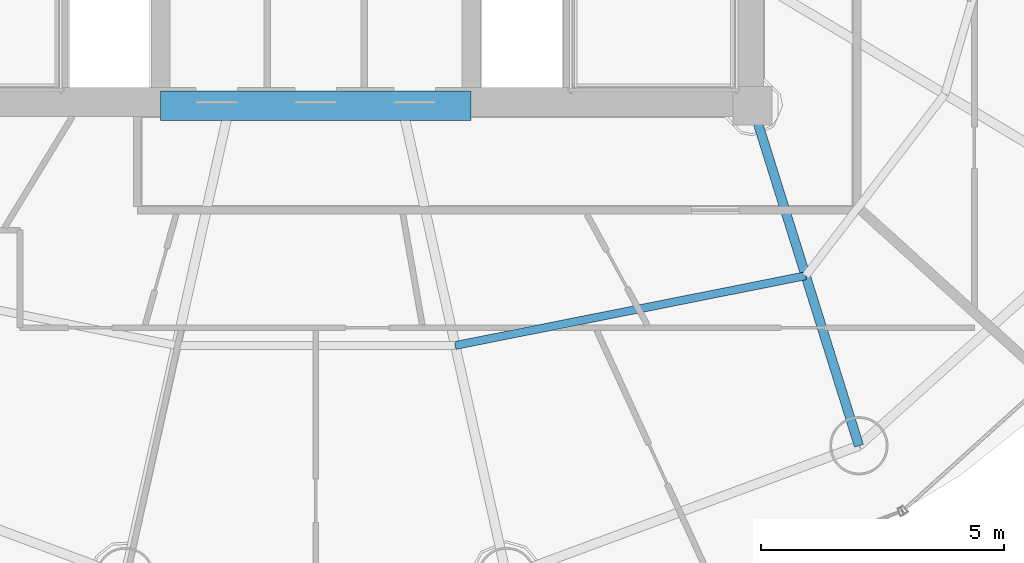
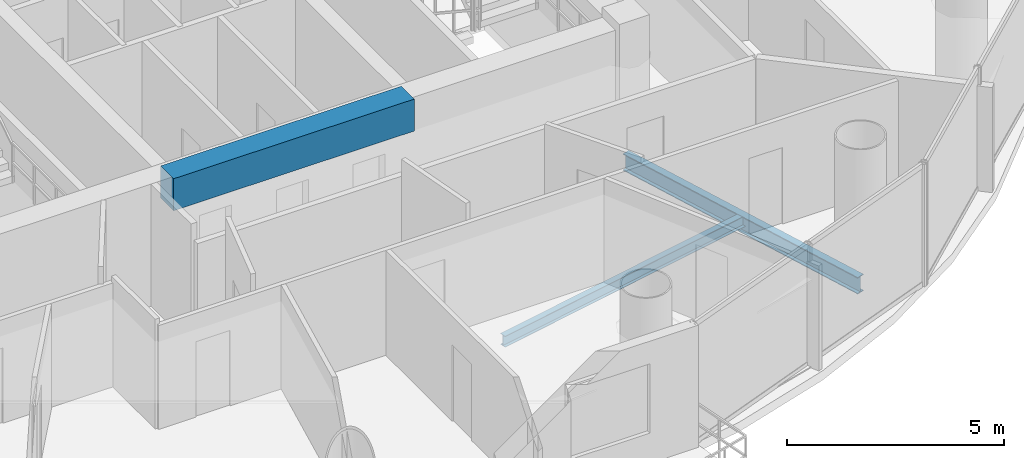
# One storey, part 6 of 26: 3 beams.
"""IFC4 building model written with IfcOpenShell, lengths in metres."""

import ifcopenshell
import ifcopenshell.guid

model = None  # the IFC model being written
_history = None  # IfcOwnerHistory: only IFC2X3 demands one
_inside = {}  # id of a spatial element -> (the spatial element, [elements in it])
_under = {}  # id of a project, library or spatial element -> (it, [spatial elements below it])
_declared = {}  # id of a project -> (the project, [libraries it declares])
_typed = {}  # id of a type object -> (the type object, [elements of that type])
_made_of = {}  # id of a material, layer set ... -> (it, [elements and type objects made of it])


def new_model(schema):
    """Start an empty IFC model of exactly this schema.

    Asked for "IFC4X3", IfcOpenShell would pick the latest addendum, in which some entities
    have other attributes; the version numbers below select the first issue.
    IFC2X3 requires an IfcOwnerHistory on every rooted entity: one is made here for all.
    """
    global model, _history
    if schema == "IFC4X3":
        model = ifcopenshell.file(schema_version=(4, 3, 0, 0))
    else:
        model = ifcopenshell.file(schema=schema)
    _inside.clear()
    _under.clear()
    _declared.clear()
    _typed.clear()
    _made_of.clear()
    _history = None
    if model.schema == "IFC2X3":
        org = make("IfcOrganization", Name="unknown")
        user = make(
            "IfcPersonAndOrganization",
            ThePerson=make("IfcPerson", FamilyName="unknown"),
            TheOrganization=org,
        )
        app = make(
            "IfcApplication",
            ApplicationDeveloper=org,
            Version="unknown",
            ApplicationFullName="unknown",
            ApplicationIdentifier="unknown",
        )
        _history = make(
            "IfcOwnerHistory",
            OwningUser=user,
            OwningApplication=app,
            ChangeAction="ADDED",
            CreationDate=0,
        )
    return model


def make(cls, **values):
    """One entity of the class cls with the attributes given. An attribute that is None is left unset."""
    return model.create_entity(
        cls, **{name: value for name, value in values.items() if value is not None}
    )


def rooted(cls, **values):
    """An entity with a GlobalId (a new one), such as an element, a storey or a relation."""
    return make(cls, GlobalId=ifcopenshell.guid.new(), OwnerHistory=_history, **values)


def si_unit(unit_type, name, prefix=None):
    """IfcSIUnit, for example si_unit("LENGTHUNIT", "METRE", prefix="MILLI")."""
    return make("IfcSIUnit", UnitType=unit_type, Prefix=prefix, Name=name)


def assignment(units):
    """IfcUnitAssignment: the units of a project."""
    return None if units is None else make("IfcUnitAssignment", Units=units)


def point(xyz):
    """IfcCartesianPoint."""
    return None if xyz is None else make("IfcCartesianPoint", Coordinates=xyz)


def direction(xyz):
    """IfcDirection."""
    return None if xyz is None else make("IfcDirection", DirectionRatios=xyz)


def frame(location, z_axis=None, x_axis=None):
    """IfcAxis2Placement3D, a coordinate frame: its origin and axes. An axis left out is left unset."""
    return make(
        "IfcAxis2Placement3D",
        Location=point(location),
        Axis=direction(z_axis),
        RefDirection=direction(x_axis),
    )


def frame_2d(location, x_axis=None):
    """IfcAxis2Placement2D, a coordinate frame in the plane: its origin and x axis."""
    return make(
        "IfcAxis2Placement2D", Location=point(location), RefDirection=direction(x_axis)
    )


def origin():
    """The frame at (0, 0, 0) with its axes left unset."""
    return frame((0.0, 0.0, 0.0))


def origin_2d():
    """The frame at (0, 0) in the plane with its x axis left unset."""
    return frame_2d((0.0, 0.0))


def place(relative_to, where):
    """IfcLocalPlacement: puts the frame where relative to a parent placement (None: the world)."""
    return make(
        "IfcLocalPlacement", PlacementRelTo=relative_to, RelativePlacement=where
    )


def context(
    kind, dimensions, precision=None, world=None, true_north=None, identifier=None
):
    """IfcGeometricRepresentationContext, for example the 3D "Model" context."""
    return make(
        "IfcGeometricRepresentationContext",
        ContextIdentifier=identifier,
        ContextType=kind,
        CoordinateSpaceDimension=dimensions,
        Precision=precision,
        WorldCoordinateSystem=world,
        TrueNorth=true_north,
    )


def subcontext(parent, identifier, kind, view, scale=None):
    """IfcGeometricRepresentationSubContext, for example "Body" below "Model"."""
    return make(
        "IfcGeometricRepresentationSubContext",
        ContextIdentifier=identifier,
        ContextType=kind,
        ParentContext=parent,
        TargetScale=scale,
        TargetView=view,
    )


def project(units=None, contexts=None):
    """IfcProject with its units and contexts."""
    return rooted(
        "IfcProject",
        Name="project",
        RepresentationContexts=contexts,
        UnitsInContext=assignment(units),
    )


def spatial(cls, under=None, at=None, **own):
    """A site, building, storey or space (cls), placed at a placement, below another one or the project."""
    s = rooted(cls, ObjectPlacement=at, **own)
    if under is not None:
        _under.setdefault(under.id(), (under, []))[1].append(s)
    return s


def profile(cls, at=None, kind="AREA", **sizes):
    """A parametric profile (cls). Its sizes go by their IFC names, for example OverallWidth=200.0."""
    return make(cls, ProfileType=kind, Position=at, **sizes)


def rectangle(**sizes):
    """IfcRectangleProfileDef."""
    return profile("IfcRectangleProfileDef", **sizes)


def i_section(**sizes):
    """IfcIShapeProfileDef."""
    return profile("IfcIShapeProfileDef", **sizes)


def extrude(swept, where, along, depth):
    """IfcExtrudedAreaSolid: the profile swept, set in the frame where, extruded along a direction by depth."""
    return make(
        "IfcExtrudedAreaSolid",
        SweptArea=swept,
        Position=where,
        ExtrudedDirection=direction(along),
        Depth=depth,
    )


def shape(context_of_items, identifier, shape_type, items):
    """IfcShapeRepresentation: the items that make up one representation, for example the "Body"."""
    return make(
        "IfcShapeRepresentation",
        ContextOfItems=context_of_items,
        RepresentationIdentifier=identifier,
        RepresentationType=shape_type,
        Items=items,
    )


def material(Name=None, Category=None):
    """IfcMaterial."""
    return make("IfcMaterial", Name=Name, Category=Category)


def material_profile(
    of_material, cross_section, Name=None, Category=None, Priority=None
):
    """IfcMaterialProfile: a cross section and its material."""
    return make(
        "IfcMaterialProfile",
        Name=Name,
        Material=of_material,
        Profile=cross_section,
        Priority=Priority,
        Category=Category,
    )


def profile_set(profiles, Name=None, composite=None):
    """IfcMaterialProfileSet."""
    return make(
        "IfcMaterialProfileSet",
        Name=Name,
        MaterialProfiles=profiles,
        CompositeProfile=composite,
    )


def made_of(thing, what):
    """Note that an element or type object is made of a material, layer set ...; save() writes the relation."""
    if what is not None:
        _made_of.setdefault(what.id(), (what, []))[1].append(thing)
    return thing


def type_object(cls, material=None, **own):
    """A type object (cls), such as IfcWallType, which elements share."""
    return made_of(rooted(cls, **own), material)


def element(
    cls,
    number,
    at=None,
    inside=None,
    cuts=None,
    type_object=None,
    material=None,
    context=None,
    identifier="Body",
    shape_type=None,
    held_by="IfcProductDefinitionShape",
    body=None,
    shapes=None,
    **own,
):
    """One element of the class cls, such as IfcWall. Its Tag is "e" and its number.

    at: its placement. inside: the storey or other place that contains it. cuts: it is an
    opening in that element (IfcRelVoidsElement). A single representation is given by context,
    identifier, shape_type and body (its items); several are given by shapes. held_by: the class
    of the entity that holds the representations. save() writes the other relations.
    """
    e = rooted(cls, Tag="e%d" % number, ObjectPlacement=at, **own)
    if body is not None:
        shapes = [shape(context, identifier, shape_type, body)]
    if shapes is not None:
        e.Representation = make(held_by, Representations=shapes)
    if inside is not None:
        _inside.setdefault(inside.id(), (inside, []))[1].append(e)
    if cuts is not None:
        rooted(
            "IfcRelVoidsElement", RelatingBuildingElement=cuts, RelatedOpeningElement=e
        )
    if type_object is not None:
        _typed.setdefault(type_object.id(), (type_object, []))[1].append(e)
    return made_of(e, material)


def aggregate(whole, parts):
    """IfcRelAggregates: a whole, such as a stair, and the parts it consists of."""
    return rooted("IfcRelAggregates", RelatingObject=whole, RelatedObjects=parts)


def save(model, path):
    """Write the relations noted so far, then the file.

    IfcRelAggregates (storeys below a building ...), IfcRelContainedInSpatialStructure (elements
    in a storey), IfcRelDefinesByType, IfcRelAssociatesMaterial and IfcRelDeclares: one each for
    every whole, place, type object, material and project.
    """
    for whole, parts in _under.values():
        aggregate(whole, parts)
    for where, things in _inside.values():
        rooted(
            "IfcRelContainedInSpatialStructure",
            RelatedElements=things,
            RelatingStructure=where,
        )
    for kind, things in _typed.values():
        rooted("IfcRelDefinesByType", RelatedObjects=things, RelatingType=kind)
    for what, things in _made_of.values():
        rooted("IfcRelAssociatesMaterial", RelatedObjects=things, RelatingMaterial=what)
    for by, libraries in _declared.values():
        rooted("IfcRelDeclares", RelatingContext=by, RelatedDefinitions=libraries)
    model.write(path)


model = new_model("IFC4")

# Units and contexts
model_context = context("Model", 3, precision=1e-05, world=origin(), true_north=direction((-0.2419218956, 0.970295726276)))
body_context = subcontext(model_context, "Body", "Model", "MODEL_VIEW")
ifc_project = project(units=[si_unit("LENGTHUNIT", "METRE"), si_unit("AREAUNIT", "SQUARE_METRE"), si_unit("VOLUMEUNIT", "CUBIC_METRE"), si_unit("PLANEANGLEUNIT", "RADIAN"), si_unit("MASSUNIT", "GRAM", prefix="KILO")], contexts=[model_context])

# Site, building, storey
site_placement = place(None, origin())
site = spatial("IfcSite", under=ifc_project, at=site_placement, CompositionType="ELEMENT")
building_placement = place(site_placement, origin())
building = spatial("IfcBuilding", under=site, at=building_placement, Name="Cobrevalo Terracotta Tower", CompositionType="ELEMENT")
storey_placement = place(building_placement, frame((0.0, 0.0, 202.300048828125)))
storey = spatial("IfcBuildingStorey", under=building, at=storey_placement, Name="L53", CompositionType="ELEMENT", Elevation=202.300048828125)

# Beams
ifc_material_1 = material(Name="Concrete C60", Category="concrete")
ifc_material_profile_1 = material_profile(ifc_material_1, rectangle(XDim=0.60009765625, YDim=0.89990234375, at=origin_2d()), Name="RC CB 600x900")
ifc_profile_set_1 = profile_set([ifc_material_profile_1], Name="Concrete C60")
beam_type_1 = type_object("IfcBeamType", Name="Structural Beam RC CB 600x900 (Concrete C60)", PredefinedType="BEAM", material=ifc_profile_set_1)
beam_1_placement = place(storey_placement, frame((34.800048828125, 18.800048828125, 2.98486328125), z_axis=(1.0, 0.0, 0.0), x_axis=(0.0, 1.0, 0.0)))
element("IfcBeam", 1, at=beam_1_placement, inside=storey, type_object=beam_type_1, Name="L53 core coupling beam 1", PredefinedType="BEAM", context=body_context, shape_type="SweptSolid", body=[
    extrude(rectangle(XDim=0.60009765625, YDim=0.89990234375, at=origin_2d()), origin(), (0.0, 0.0, 1.0), 6.39990234375),
])
ifc_material_2 = material(Name="Steel S355", Category="steel")
ifc_material_profile_2 = material_profile(ifc_material_2, i_section(OverallWidth=0.194091796875, OverallDepth=0.468994140625, WebThickness=0.011474609375, FlangeThickness=0.0205078125, at=origin_2d()), Name="W 460x106")
ifc_profile_set_2 = profile_set([ifc_material_profile_2], Name="Steel S355")
beam_type_2 = type_object("IfcBeamType", Name="Structural Beam W 460x106 (Steel S355)", PredefinedType="BEAM", material=ifc_profile_set_2)
beam_2_placement = place(storey_placement, frame((49.19482421875, 11.7919921875, -0.49951171875), z_axis=(-0.298871212691, 0.954293454984, 0.0), x_axis=(-0.954293454984, -0.298871212691, 0.0)))
element("IfcBeam", 2, at=beam_2_placement, inside=storey, type_object=beam_type_2, Name="L53 radial floor girder 14", PredefinedType="BEAM", context=body_context, shape_type="SweptSolid", body=[
    extrude(i_section(OverallWidth=0.194091796875, OverallDepth=0.468994140625, WebThickness=0.011474609375, FlangeThickness=0.0205078125, at=origin_2d()), origin(), (0.0, 0.0, 1.0), 7.34375),
])
ifc_material_profile_3 = material_profile(ifc_material_2, i_section(OverallWidth=0.1650390625, OverallDepth=0.31005859375, WebThickness=0.005859375, FlangeThickness=0.009765625, at=origin_2d()), Name="W 310x38.7")
ifc_profile_set_3 = profile_set([ifc_material_profile_3], Name="Steel S355")
beam_type_3 = type_object("IfcBeamType", Name="Structural Joist W 310x38.7 (Steel S355)", PredefinedType="JOIST", material=ifc_profile_set_3)
beam_3_placement = place(storey_placement, frame((40.873779296875, 13.8583984375, -0.420166015625), z_axis=(0.980768907748, 0.195172614871, 0.0), x_axis=(-0.195172614871, 0.980768907748, 0.0)))
element("IfcBeam", 3, at=beam_3_placement, inside=storey, type_object=beam_type_3, Name="L53 circumferential secondary floor joist 13", PredefinedType="JOIST", context=body_context, shape_type="SweptSolid", body=[
    extrude(i_section(OverallWidth=0.1650390625, OverallDepth=0.31005859375, WebThickness=0.005859375, FlangeThickness=0.009765625, at=origin_2d()), origin(), (0.0, 0.0, 1.0), 7.365234375),
])

save(model, "model.ifc")
